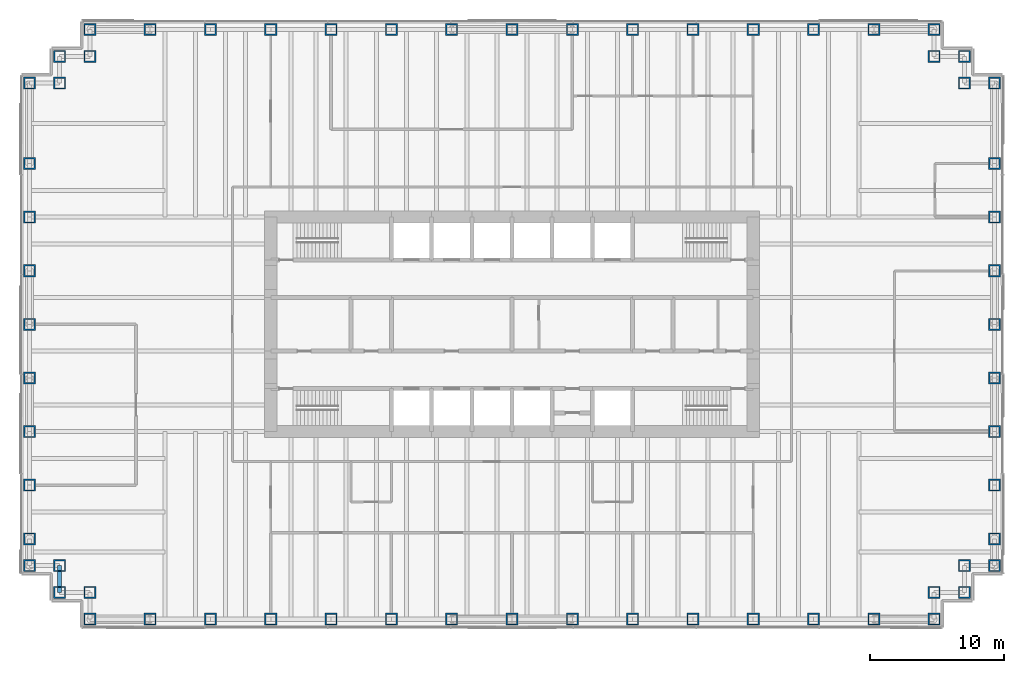
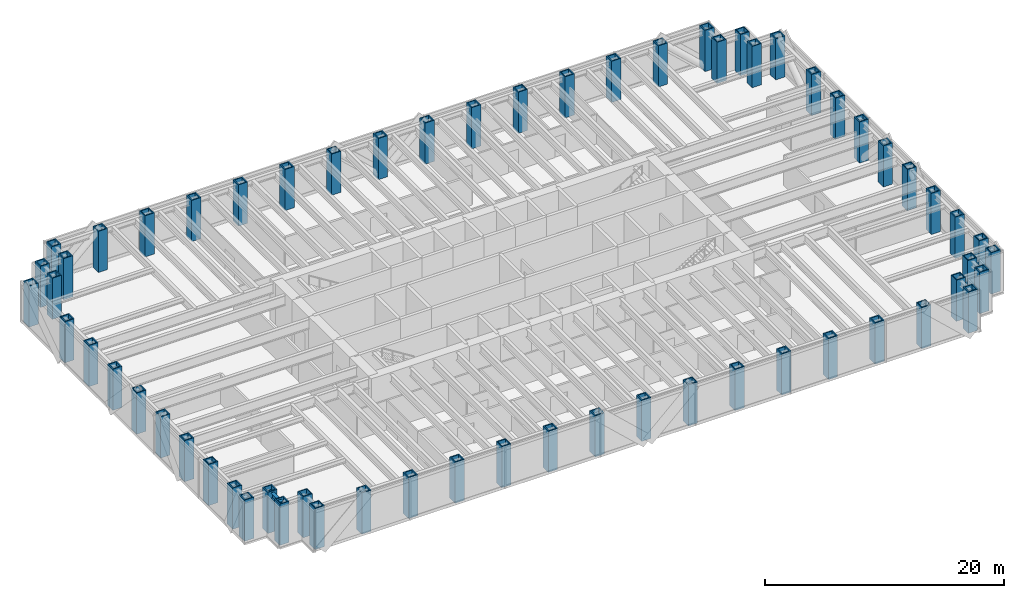
# One storey, part 1 of 15: 62 columns, 1 beam.
"""IFC4 building model written with IfcOpenShell, lengths in metres."""

from ifc_helpers import new_model, si_unit, direction, frame, origin, origin_2d, place, context, subcontext, project, spatial, hollow_rectangle, i_section, extrude, material, material_profile, profile_set, type_object, element, save


model = new_model("IFC4")

# Units and contexts
model_context = context("Model", 3, precision=1e-05, world=origin(), true_north=direction((0.0, 1.0)))
body_context = subcontext(model_context, "Body", "Model", "MODEL_VIEW")
ifc_project = project(units=[si_unit("LENGTHUNIT", "METRE"), si_unit("AREAUNIT", "SQUARE_METRE"), si_unit("VOLUMEUNIT", "CUBIC_METRE"), si_unit("PLANEANGLEUNIT", "RADIAN"), si_unit("MASSUNIT", "GRAM", prefix="KILO")], contexts=[model_context])

# Site, building, storey
site_placement = place(None, origin())
site = spatial("IfcSite", under=ifc_project, at=site_placement, CompositionType="ELEMENT")
building_placement = place(site_placement, origin())
building = spatial("IfcBuilding", under=site, at=building_placement, Name="Rheinbord Bourse Tower", CompositionType="ELEMENT")
storey_placement = place(building_placement, frame((0.0, 0.0, 155.10009765625)))
storey = spatial("IfcBuildingStorey", under=building, at=storey_placement, Name="L34", CompositionType="ELEMENT", Elevation=155.10009765625)

# Columns
ifc_material_1 = material(Name="Steel S460M", Category="steel")
ifc_material_profile_1 = material_profile(ifc_material_1, hollow_rectangle(XDim=0.89990234375, YDim=0.89990234375, WallThickness=0.10009765625, at=origin_2d()), Name="BOX 900x900x100")
ifc_profile_set_1 = profile_set([ifc_material_profile_1], Name="Steel S460M")
column_type = type_object("IfcColumnType", Name="TUBE COLUMN BOX 900x900x100", PredefinedType="COLUMN", material=ifc_profile_set_1)
for number, where, z_axis, x_axis, name in (
    (1, (4.5, 2.0, 0.0), (0.0, 0.0, 1.0), (0.0, 1.0, 0.0), "Column SW-E L34"),
    (2, (9.0, 2.0, 0.0), (0.0, 0.0, 1.0), (0.0, 1.0, 0.0), "Column S-9 L34"),
    (3, (13.5, 2.0, 0.0), (0.0, 0.0, 1.0), (0.0, 1.0, 0.0), "Column S-13.5 L34"),
    (4, (18.0, 2.0, 0.0), (0.0, 0.0, 1.0), (0.0, 1.0, 0.0), "Column S-18 L34"),
    (5, (22.5, 2.0, 0.0), (0.0, 0.0, 1.0), (0.0, 1.0, 0.0), "Column S-22.5 L34"),
    (6, (27.0, 2.0, 0.0), (0.0, 0.0, 1.0), (0.0, 1.0, 0.0), "Column S-27 L34"),
    (7, (31.5, 2.0, 0.0), (0.0, 0.0, 1.0), (0.0, 1.0, 0.0), "Column S-31.5 L34"),
    (8, (36.0, 2.0, 0.0), (0.0, 0.0, 1.0), (0.0, 1.0, 0.0), "Column S-36 L34"),
    (9, (40.5, 2.0, 0.0), (0.0, 0.0, 1.0), (0.0, 1.0, 0.0), "Column S-40.5 L34"),
    (10, (45.0, 2.0, 0.0), (0.0, 0.0, 1.0), (0.0, 1.0, 0.0), "Column S-45 L34"),
    (11, (49.5, 2.0, 0.0), (0.0, 0.0, 1.0), (0.0, 1.0, 0.0), "Column S-49.5 L34"),
    (12, (54.0, 2.0, 0.0), (0.0, 0.0, 1.0), (0.0, 1.0, 0.0), "Column S-54 L34"),
    (13, (58.5, 2.0, 0.0), (0.0, 0.0, 1.0), (0.0, 1.0, 0.0), "Column S-58.5 L34"),
    (14, (63.0, 2.0, 0.0), (0.0, 0.0, 1.0), (0.0, 1.0, 0.0), "Column S-63 L34"),
    (15, (67.5, 2.0, 0.0), (0.0, 0.0, 1.0), (0.0, 1.0, 0.0), "Column SE-E L34"),
    (16, (67.5, 4.0, 0.0), (0.0, 0.0, 1.0), (0.0, 1.0, 0.0), "Column SE-D L34"),
    (17, (69.75, 4.0, 0.0), (0.0, 0.0, 1.0), (1.0, 0.0, 0.0), "Column SE-C L34"),
    (18, (69.75, 6.0, 0.0), (0.0, 0.0, 1.0), (1.0, 0.0, 0.0), "Column SE-B L34"),
    (19, (72.0, 6.0, 0.0), (0.0, 0.0, 1.0), (1.0, 0.0, 0.0), "Column SE-A L34"),
    (20, (72.0, 8.0, 0.0), (0.0, 0.0, 1.0), (1.0, 0.0, 0.0), "Column E-8 L34"),
    (21, (72.0, 12.0, 0.0), (0.0, 0.0, 1.0), (1.0, 0.0, 0.0), "Column E-12 L34"),
    (22, (72.0, 16.0, 0.0), (0.0, 0.0, 1.0), (1.0, 0.0, 0.0), "Column E-16 L34"),
    (23, (72.0, 20.0, 0.0), (0.0, 0.0, 1.0), (1.0, 0.0, 0.0), "Column E-20 L34"),
    (24, (72.0, 24.0, 0.0), (0.0, 0.0, 1.0), (1.0, 0.0, 0.0), "Column E-24 L34"),
    (25, (72.0, 28.0, 0.0), (0.0, 0.0, 1.0), (1.0, 0.0, 0.0), "Column E-28 L34"),
    (26, (72.0, 32.0, 0.0), (0.0, 0.0, 1.0), (1.0, 0.0, 0.0), "Column E-32 L34"),
    (27, (72.0, 36.0, 0.0), (0.0, 0.0, 1.0), (1.0, 0.0, 0.0), "Column E-36 L34"),
    (28, (72.0, 42.0, 0.0), (0.0, 0.0, 1.0), (1.0, 0.0, 0.0), "Column NE-A L34"),
    (29, (69.75, 42.0, 0.0), (0.0, 0.0, 1.0), (1.0, 0.0, 0.0), "Column NE-B L34"),
    (30, (69.75, 44.0, 0.0), (0.0, 0.0, 1.0), (1.0, 0.0, 0.0), "Column NE-C L34"),
    (31, (67.5, 44.0, 0.0), (0.0, 0.0, 1.0), (0.0, 1.0, 0.0), "Column NE-D L34"),
    (32, (67.5, 46.0, 0.0), (0.0, 0.0, 1.0), (0.0, 1.0, 0.0), "Column NE-E L34"),
    (33, (63.0, 46.0, 0.0), (0.0, 0.0, 1.0), (0.0, 1.0, 0.0), "Column N-63 L34"),
    (34, (58.5, 46.0, 0.0), (0.0, 0.0, 1.0), (0.0, 1.0, 0.0), "Column N-58.5 L34"),
    (35, (54.0, 46.0, 0.0), (0.0, 0.0, 1.0), (0.0, 1.0, 0.0), "Column N-54 L34"),
    (36, (49.5, 46.0, 0.0), (0.0, 0.0, 1.0), (0.0, 1.0, 0.0), "Column N-49.5 L34"),
    (37, (45.0, 46.0, 0.0), (0.0, 0.0, 1.0), (0.0, 1.0, 0.0), "Column N-45 L34"),
    (38, (40.5, 46.0, 0.0), (0.0, 0.0, 1.0), (0.0, 1.0, 0.0), "Column N-40.5 L34"),
    (39, (36.0, 46.0, 0.0), (0.0, 0.0, 1.0), (0.0, 1.0, 0.0), "Column N-36 L34"),
    (40, (31.5, 46.0, 0.0), (0.0, 0.0, 1.0), (0.0, 1.0, 0.0), "Column N-31.5 L34"),
    (41, (27.0, 46.0, 0.0), (0.0, 0.0, 1.0), (0.0, 1.0, 0.0), "Column N-27 L34"),
    (42, (22.5, 46.0, 0.0), (0.0, 0.0, 1.0), (0.0, 1.0, 0.0), "Column N-22.5 L34"),
    (43, (18.0, 46.0, 0.0), (0.0, 0.0, 1.0), (0.0, 1.0, 0.0), "Column N-18 L34"),
    (44, (13.5, 46.0, 0.0), (0.0, 0.0, 1.0), (0.0, 1.0, 0.0), "Column N-13.5 L34"),
    (45, (9.0, 46.0, 0.0), (0.0, 0.0, 1.0), (0.0, 1.0, 0.0), "Column N-9 L34"),
    (46, (4.5, 46.0, 0.0), (0.0, 0.0, 1.0), (0.0, 1.0, 0.0), "Column NW-E L34"),
    (47, (4.5, 44.0, 0.0), (0.0, 0.0, 1.0), (0.0, 1.0, 0.0), "Column NW-D L34"),
    (48, (2.25, 44.0, 0.0), (0.0, 0.0, 1.0), (1.0, 0.0, 0.0), "Column NW-C L34"),
    (49, (2.25, 42.0, 0.0), (0.0, 0.0, 1.0), (1.0, 0.0, 0.0), "Column NW-B L34"),
    (50, (0.0, 42.0, 0.0), (0.0, 0.0, 1.0), (1.0, 0.0, 0.0), "Column NW-A L34"),
    (51, (0.0, 36.0, 0.0), (0.0, 0.0, 1.0), (1.0, 0.0, 0.0), "Column W-36 L34"),
    (52, (0.0, 32.0, 0.0), (0.0, 0.0, 1.0), (1.0, 0.0, 0.0), "Column W-32 L34"),
    (53, (0.0, 28.0, 0.0), (0.0, 0.0, 1.0), (1.0, 0.0, 0.0), "Column W-28 L34"),
    (54, (0.0, 24.0, 0.0), (0.0, 0.0, 1.0), (1.0, 0.0, 0.0), "Column W-24 L34"),
    (55, (0.0, 20.0, 0.0), (0.0, 0.0, 1.0), (1.0, 0.0, 0.0), "Column W-20 L34"),
    (56, (0.0, 16.0, 0.0), (0.0, 0.0, 1.0), (1.0, 0.0, 0.0), "Column W-16 L34"),
    (57, (0.0, 12.0, 0.0), (0.0, 0.0, 1.0), (1.0, 0.0, 0.0), "Column W-12 L34"),
    (58, (0.0, 8.0, 0.0), (0.0, 0.0, 1.0), (1.0, 0.0, 0.0), "Column W-8 L34"),
    (59, (0.0, 6.0, 0.0), (0.0, 0.0, 1.0), (1.0, 0.0, 0.0), "Column SW-A L34"),
    (60, (2.25, 6.0, 0.0), (0.0, 0.0, 1.0), (1.0, 0.0, 0.0), "Column SW-B L34"),
    (61, (2.25, 4.0, 0.0), (0.0, 0.0, 1.0), (1.0, 0.0, 0.0), "Column SW-C L34"),
    (62, (4.5, 4.0, 0.0), (0.0, 0.0, 1.0), (0.0, 1.0, 0.0), "Column SW-D L34"),
):
    element("IfcColumn", number, at=place(storey_placement, frame(where, z_axis=z_axis, x_axis=x_axis)), inside=storey, type_object=column_type, Name=name, PredefinedType="COLUMN", context=body_context, shape_type="SweptSolid", body=[
        extrude(hollow_rectangle(XDim=0.89990234375, YDim=0.89990234375, WallThickness=0.10009765625, at=origin_2d()), origin(), (0.0, 0.0, 1.0), 4.199951171875),
    ])

# Beam
ifc_material_2 = material(Name="Steel S460", Category="steel")
ifc_material_profile_2 = material_profile(ifc_material_2, i_section(OverallWidth=0.305908203125, OverallDepth=0.572021484375, WebThickness=0.02099609375, FlangeThickness=0.0400390625, at=origin_2d()), Name="HEM 550")
ifc_profile_set_2 = profile_set([ifc_material_profile_2], Name="Steel S460")
beam_type = type_object("IfcBeamType", Name="SPANDREL HEM 550", PredefinedType="SPANDREL", material=ifc_profile_set_2)
beam_placement = place(storey_placement, frame((2.25, 6.0, 3.75390625), z_axis=(0.0, -1.0, 0.0), x_axis=(1.0, 0.0, 0.0)))
element("IfcBeam", 63, at=beam_placement, inside=storey, type_object=beam_type, Name="Spandrel SW-B-SW-C under L35", PredefinedType="SPANDREL", context=body_context, shape_type="SweptSolid", body=[
    extrude(i_section(OverallWidth=0.305908203125, OverallDepth=0.572021484375, WebThickness=0.02099609375, FlangeThickness=0.0400390625, at=origin_2d()), origin(), (0.0, 0.0, 1.0), 2.0),
])

save(model, "model.ifc")
